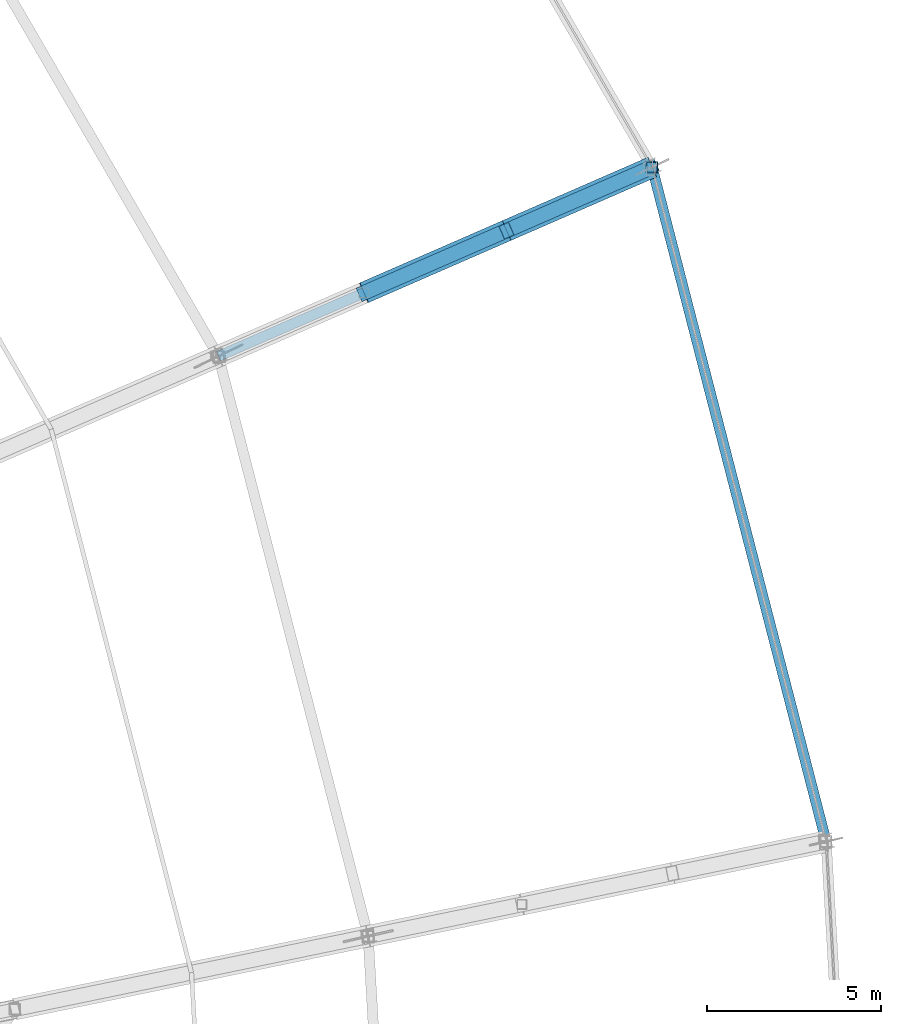
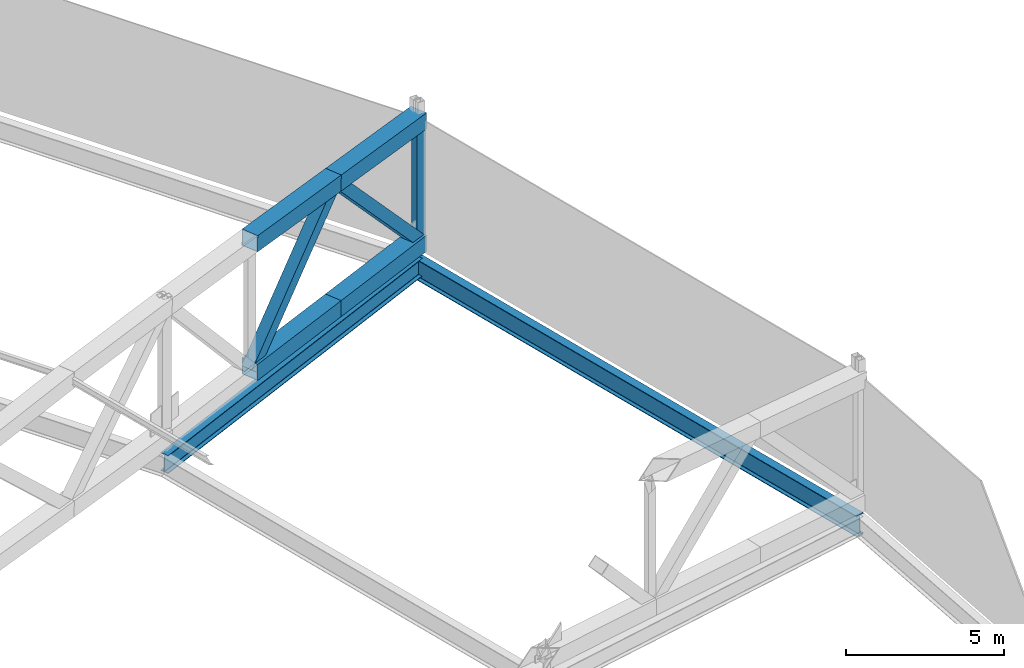
# One storey, part 65 of 162: 7 members, 2 beams.
"""IFC4 building model written with IfcOpenShell, lengths in metres."""

from ifc_helpers import new_model, si_unit, direction, frame, origin, origin_2d, place, context, subcontext, project, spatial, hollow_rectangle, i_section, extrude, material, material_profile, profile_set, type_object, element, save


model = new_model("IFC4")

# Units and contexts
model_context = context("Model", 3, precision=1e-05, world=origin(), true_north=direction((0.0, 1.0)))
body_context = subcontext(model_context, "Body", "Model", "MODEL_VIEW")
ifc_project = project(units=[si_unit("LENGTHUNIT", "METRE"), si_unit("AREAUNIT", "SQUARE_METRE"), si_unit("VOLUMEUNIT", "CUBIC_METRE"), si_unit("PLANEANGLEUNIT", "RADIAN"), si_unit("MASSUNIT", "GRAM", prefix="KILO")], contexts=[model_context])

# Site, building, storey
site_placement = place(None, origin())
site = spatial("IfcSite", under=ifc_project, at=site_placement, CompositionType="ELEMENT")
building_placement = place(site_placement, origin())
building = spatial("IfcBuilding", under=site, at=building_placement, Name="Kazemori Nagisa Stadium", CompositionType="ELEMENT")
storey_placement = place(building_placement, frame((0.0, 0.0, 36.719970703125)))
storey = spatial("IfcBuildingStorey", under=building, at=storey_placement, Name="RF", CompositionType="ELEMENT", Elevation=36.719970703125)

# Beams
ifc_material_1 = material(Name="Steel SN490B", Category="steel")
ifc_material_profile_1 = material_profile(ifc_material_1, i_section(OverallWidth=0.300048828125, OverallDepth=0.699951171875, WebThickness=0.012939453125, FlangeThickness=0.02392578125, FilletRadius=0.01806640625, at=origin_2d()), Name="H-700x300x13x24")
ifc_profile_set_1 = profile_set([ifc_material_profile_1], Name="Steel SN490B")
beam_type_1 = type_object("IfcBeamType", Name="Beam_BG-H700", PredefinedType="BEAM", material=ifc_profile_set_1)
beam_1_placement = place(storey_placement, frame((199.44091796875, 135.32470703125, -0.6298828125), z_axis=(0.916683633521, 0.399613708517, 0.0), x_axis=(-0.399613708517, 0.916683633521, 0.0)))
element("IfcBeam", 1, at=beam_1_placement, inside=storey, type_object=beam_type_1, Name="Radial girder BG-H700 RF R2-R3-03", PredefinedType="BEAM", context=body_context, shape_type="SweptSolid", body=[
    extrude(i_section(OverallWidth=0.300048828125, OverallDepth=0.699951171875, WebThickness=0.012939453125, FlangeThickness=0.02392578125, FilletRadius=0.01806640625, at=origin_2d()), origin(), (0.0, 0.0, 1.0), 13.5751953125),
])
ifc_material_profile_2 = material_profile(ifc_material_1, i_section(OverallWidth=0.300048828125, OverallDepth=0.800048828125, WebThickness=0.013916015625, FlangeThickness=0.02587890625, FilletRadius=0.01806640625, at=origin_2d()), Name="H-800x300x14x26")
ifc_profile_set_2 = profile_set([ifc_material_profile_2], Name="Steel SN490B")
beam_type_2 = type_object("IfcBeamType", Name="Beam_BG-H800", PredefinedType="BEAM", material=ifc_profile_set_2)
beam_2_placement = place(storey_placement, frame((216.880859375, 121.397705078125, -0.679931640625), z_axis=(-0.249964097999, 0.968255105699, 0.0), x_axis=(-0.968255105699, -0.249964097999, 0.0)))
element("IfcBeam", 2, at=beam_2_placement, inside=storey, type_object=beam_type_2, Name="Roof compression ring beam BG-H800 R3-02", PredefinedType="BEAM", context=body_context, shape_type="SweptSolid", body=[
    extrude(i_section(OverallWidth=0.300048828125, OverallDepth=0.800048828125, WebThickness=0.013916015625, FlangeThickness=0.02587890625, FilletRadius=0.01806640625, at=origin_2d()), origin(), (0.0, 0.0, 1.0), 19.986328125),
])

# Members
ifc_material_2 = material(Name="Steel STKR490", Category="steel")
ifc_material_profile_3 = material_profile(ifc_material_2, hollow_rectangle(XDim=0.419921875, YDim=0.419921875, WallThickness=0.01611328125, at=origin_2d()), Name="SHS-420x420x16")
ifc_profile_set_3 = profile_set([ifc_material_profile_3], Name="Steel STKR490")
member_type_1 = type_object("IfcMemberType", Name="Member_TB-SHS420", PredefinedType="BRACE", material=ifc_profile_set_3)
member_1_placement = place(storey_placement, frame((211.885009765625, 140.74951171875, 0.360107421875), z_axis=(-0.624310604924, -0.272169069234, 0.732229654092), x_axis=(0.399626973306, -0.916677850832, 0.0)))
element("IfcMember", 3, at=member_1_placement, inside=storey, type_object=member_type_1, Name="Roof space truss diagonal RT-03-1", PredefinedType="BRACE", context=body_context, shape_type="SweptSolid", body=[
    extrude(hollow_rectangle(XDim=0.419921875, YDim=0.419921875, WallThickness=0.01611328125, at=origin_2d()), origin(), (0.0, 0.0, 1.0), 6.691650390625),
])
member_2_placement = place(storey_placement, frame((207.707275390625, 138.92822265625, 5.260009765625), z_axis=(-0.622589724178, -0.271423393815, -0.733969601985), x_axis=(0.399632596361, -0.916675399433, 0.0)))
element("IfcMember", 4, at=member_2_placement, inside=storey, type_object=member_type_1, Name="Roof space truss diagonal RT-03-2", PredefinedType="BRACE", context=body_context, shape_type="SweptSolid", body=[
    extrude(hollow_rectangle(XDim=0.419921875, YDim=0.419921875, WallThickness=0.01611328125, at=origin_2d()), origin(), (0.0, 0.0, 1.0), 6.567138671875),
])
ifc_material_profile_4 = material_profile(ifc_material_2, hollow_rectangle(XDim=0.6201171875, YDim=0.6201171875, WallThickness=0.02197265625, at=origin_2d()), Name="SHS-620x620x22")
ifc_profile_set_4 = profile_set([ifc_material_profile_4], Name="Steel STKR490")
member_type_2 = type_object("IfcMemberType", Name="Member_TC-SHS620", PredefinedType="CHORD", material=ifc_profile_set_4)
member_3_placement = place(storey_placement, frame((211.885009765625, 140.74951171875, 5.10009765625), z_axis=(-0.916114082748, -0.399381197832, 0.035066311606), x_axis=(0.399626973306, -0.916677850832, 0.0)))
element("IfcMember", 5, at=member_3_placement, inside=storey, type_object=member_type_2, Name="Roof space truss top chord RT-03-1", PredefinedType="CHORD", context=body_context, shape_type="SweptSolid", body=[
    extrude(hollow_rectangle(XDim=0.6201171875, YDim=0.6201171875, WallThickness=0.02197265625, at=origin_2d()), origin(), (0.0, 0.0, 1.0), 4.560302734375),
])
member_4_placement = place(storey_placement, frame((211.885009765625, 140.74951171875, 0.360107421875), z_axis=(-0.916642477072, -0.399611552066, 0.008785026078), x_axis=(0.399626973306, -0.916677850832, 0.0)))
element("IfcMember", 6, at=member_4_placement, inside=storey, type_object=member_type_2, Name="Roof space truss bottom chord RT-03-1", PredefinedType="CHORD", context=body_context, shape_type="SweptSolid", body=[
    extrude(hollow_rectangle(XDim=0.6201171875, YDim=0.6201171875, WallThickness=0.02197265625, at=origin_2d()), origin(), (0.0, 0.0, 1.0), 4.5576171875),
])
member_5_placement = place(storey_placement, frame((207.707275390625, 138.92822265625, 5.260009765625), z_axis=(-0.916086817595, -0.399375999001, 0.035829513676), x_axis=(0.399632596361, -0.916675399433, 0.0)))
element("IfcMember", 7, at=member_5_placement, inside=storey, type_object=member_type_2, Name="Roof space truss top chord RT-03-2", PredefinedType="CHORD", context=body_context, shape_type="SweptSolid", body=[
    extrude(hollow_rectangle(XDim=0.6201171875, YDim=0.6201171875, WallThickness=0.02197265625, at=origin_2d()), origin(), (0.0, 0.0, 1.0), 4.463134765625),
])
member_6_placement = place(storey_placement, frame((207.707275390625, 138.92822265625, 0.400146484375), z_axis=(-0.916638916313, -0.399616691228, 0.008921725883), x_axis=(0.399632596361, -0.916675399433, 0.0)))
element("IfcMember", 8, at=member_6_placement, inside=storey, type_object=member_type_2, Name="Roof space truss bottom chord RT-03-2", PredefinedType="CHORD", context=body_context, shape_type="SweptSolid", body=[
    extrude(hollow_rectangle(XDim=0.6201171875, YDim=0.6201171875, WallThickness=0.02197265625, at=origin_2d()), origin(), (0.0, 0.0, 1.0), 4.46044921875),
])
ifc_material_profile_5 = material_profile(ifc_material_2, hollow_rectangle(XDim=0.320068359375, YDim=0.320068359375, WallThickness=0.011962890625, at=origin_2d()), Name="SHS-320x320x12")
ifc_profile_set_5 = profile_set([ifc_material_profile_5], Name="Steel STKR490")
member_type_3 = type_object("IfcMemberType", Name="Member_TS-SHS320", PredefinedType="STRUT", material=ifc_profile_set_5)
member_7_placement = place(storey_placement, frame((211.885009765625, 140.74951171875, 0.360107421875), z_axis=(0.0, 0.0, 1.0), x_axis=(1.0, 0.0, 0.0)))
element("IfcMember", 9, at=member_7_placement, inside=storey, type_object=member_type_3, Name="Roof space truss strut RT-03-1", PredefinedType="STRUT", context=body_context, shape_type="SweptSolid", body=[
    extrude(hollow_rectangle(XDim=0.320068359375, YDim=0.320068359375, WallThickness=0.011962890625, at=origin_2d()), origin(), (0.0, 0.0, 1.0), 4.739990234375),
])

save(model, "model.ifc")
